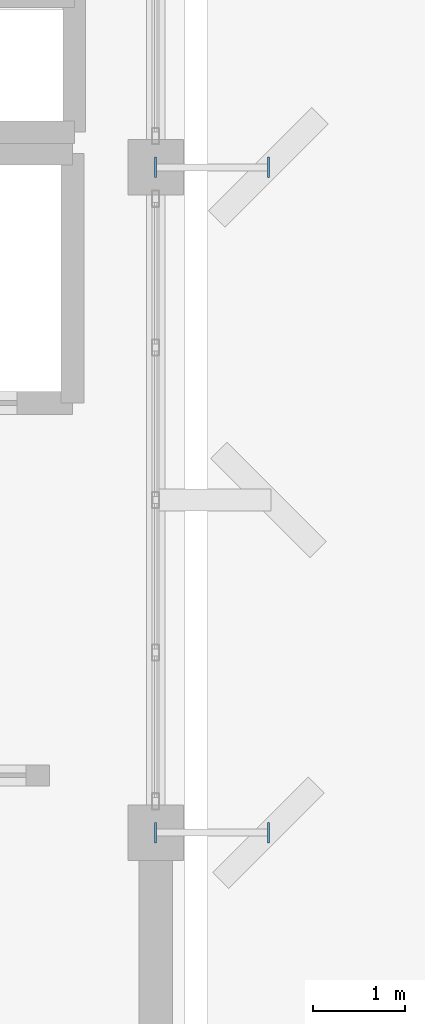
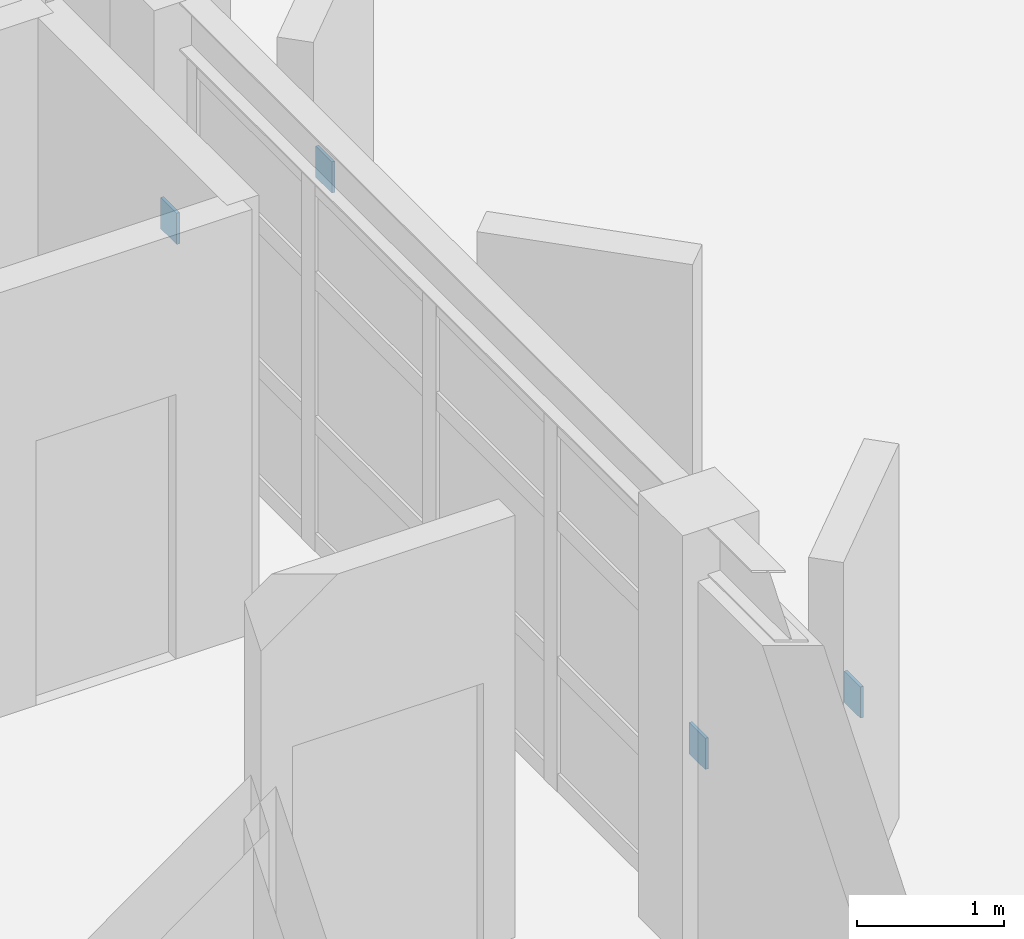
# One storey, part 12 of 13: 4 discrete accessories.
"""IFC4 building model written with IfcOpenShell, lengths in metres."""

from ifc_helpers import new_model, si_unit, direction, frame, origin, origin_2d, place, context, subcontext, project, spatial, rectangle, extrude, material, type_object, element, save


model = new_model("IFC4")

# Units and contexts
model_context = context("Model", 3, precision=1e-05, world=origin(), true_north=direction((0.0, 1.0)))
body_context = subcontext(model_context, "Body", "Model", "MODEL_VIEW")
ifc_project = project(units=[si_unit("LENGTHUNIT", "METRE"), si_unit("AREAUNIT", "SQUARE_METRE"), si_unit("VOLUMEUNIT", "CUBIC_METRE"), si_unit("PLANEANGLEUNIT", "RADIAN"), si_unit("MASSUNIT", "GRAM", prefix="KILO")], contexts=[model_context])

# Site, building, storey
site_placement = place(None, origin())
site = spatial("IfcSite", under=ifc_project, at=site_placement, CompositionType="ELEMENT")
building_placement = place(site_placement, origin())
building = spatial("IfcBuilding", under=site, at=building_placement, Name="Kandorven Conservatory and Botanical Research Centre", CompositionType="ELEMENT")
storey_placement = place(building_placement, frame((0.0, 0.0, 59.39990234375)))
storey = spatial("IfcBuildingStorey", under=building, at=storey_placement, Name="L15", CompositionType="ELEMENT", Elevation=59.39990234375)

# Discrete accessories
ifc_material = material(Name="Steel S355 (IS 2062 E350)", Category="steel")
discrete_accessory_type = type_object("IfcDiscreteAccessoryType", Name="SteelGussetPlate", PredefinedType="BRACKET", material=ifc_material)
for number, where, z_axis, x_axis, name in (
    (1, (27.60009765625, 13.199951171875, 1.3701171875), (0.0, 0.0, 1.0), (1.0, 0.0, 0.0), "Welded steel strut end-plate GUS-01 #141A"),
    (2, (28.820068359375, 13.199951171875, 1.3701171875), (0.0, 0.0, 1.0), (1.0, 0.0, 0.0), "Welded steel strut end-plate GUS-01 #141B"),
    (3, (27.60009765625, 20.39990234375, 1.3701171875), (0.0, 0.0, 1.0), (1.0, 0.0, 0.0), "Welded steel strut end-plate GUS-01 #143A"),
    (4, (28.820068359375, 20.39990234375, 1.3701171875), (0.0, 0.0, 1.0), (1.0, 0.0, 0.0), "Welded steel strut end-plate GUS-01 #143B"),
):
    element("IfcDiscreteAccessory", number, at=place(storey_placement, frame(where, z_axis=z_axis, x_axis=x_axis)), inside=storey, type_object=discrete_accessory_type, Name=name, PredefinedType="BRACKET", context=body_context, shape_type="SweptSolid", body=[
        extrude(rectangle(XDim=0.02392578125, YDim=0.219970703125, at=origin_2d()), origin(), (0.0, 0.0, 1.0), 0.260009765625),
    ])

save(model, "model.ifc")
